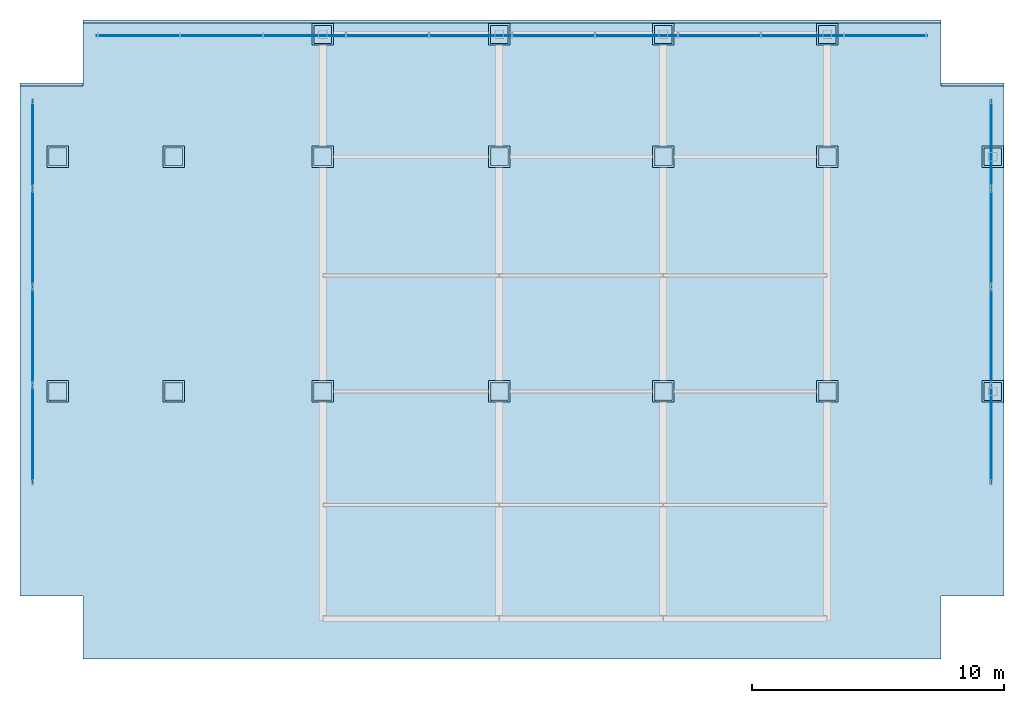
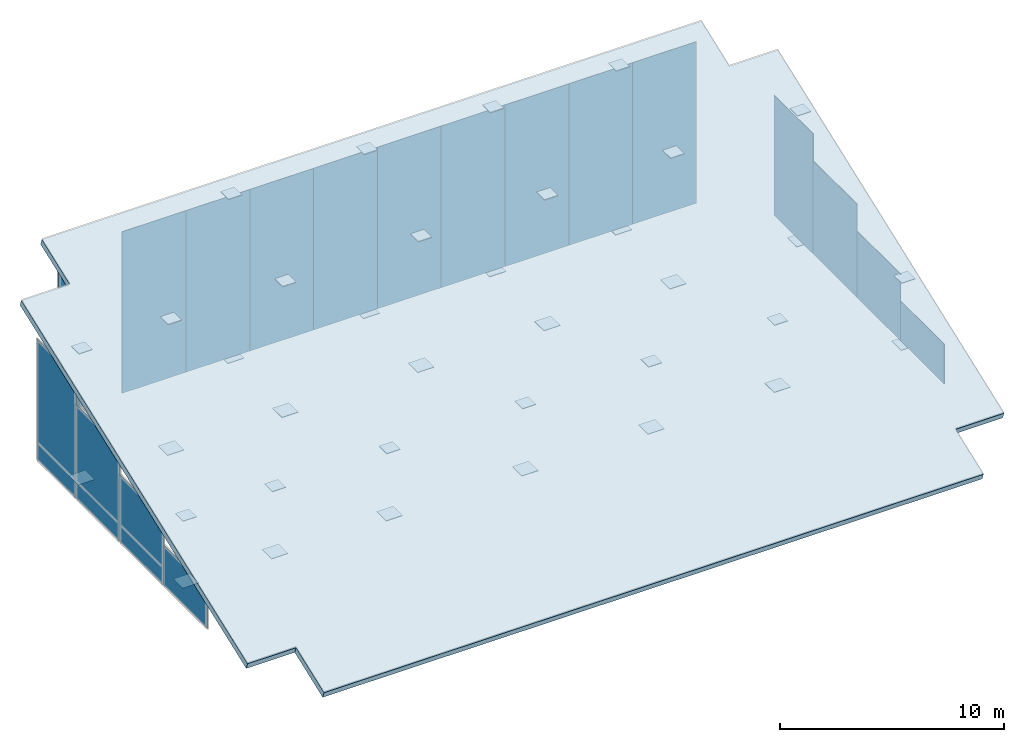
# One storey, part 11 of 12: 54 plates, 1 slab, 9 elements without a shape of their own.
"""IFC4 building model written with IfcOpenShell, lengths in metres."""

from ifc_helpers import new_model, si_unit, direction, frame, origin, origin_2d, place, context, subcontext, project, spatial, polyline, rectangle, outline, extrude, material, layer, layer_set, type_object, element, aggregate, save


model = new_model("IFC4")

# Units and contexts
model_context = context("Model", 3, precision=1e-05, world=origin(), true_north=direction((0.0, 1.0)))
body_context = subcontext(model_context, "Body", "Model", "MODEL_VIEW")
ifc_project = project(units=[si_unit("LENGTHUNIT", "METRE"), si_unit("AREAUNIT", "SQUARE_METRE"), si_unit("VOLUMEUNIT", "CUBIC_METRE"), si_unit("PLANEANGLEUNIT", "RADIAN"), si_unit("MASSUNIT", "GRAM", prefix="KILO")], contexts=[model_context])

# Site, building, storey
site_placement = place(None, origin())
site = spatial("IfcSite", under=ifc_project, at=site_placement, CompositionType="ELEMENT")
building_placement = place(site_placement, origin())
building = spatial("IfcBuilding", under=site, at=building_placement, Name="Noeulbin Bourse Tower", CompositionType="ELEMENT")
storey_placement = place(building_placement, frame((0.0, 0.0, 317.39990234375)))
storey = spatial("IfcBuildingStorey", under=building, at=storey_placement, Name="RF", CompositionType="ELEMENT", Elevation=317.39990234375)

# Curtain wall, plates
ifc_material_1 = material(Name="Translucent Ceramic-Fritted Glass", Category="glass")
curtain_wall_type = type_object("IfcCurtainWallType", Name="CW-SYS-5", PredefinedType="NOTDEFINED", material=ifc_material_1)
curtain_wall_1_placement = place(storey_placement, origin())
curtain_wall_1 = element("IfcCurtainWall", 1, at=curtain_wall_1_placement, inside=storey, type_object=curtain_wall_type, Name="Unitised Curtain Wall CW-RF-CRN-N", PredefinedType="NOTDEFINED")
ifc_layer_1 = layer(ifc_material_1, 0.035888671875)
ifc_layer_set_1 = layer_set([ifc_layer_1], Name="Translucent Ceramic-Fritted Glass")
plate_type_1 = type_object("IfcPlateType", Name="CW-SYS-5-PNL", PredefinedType="CURTAIN_PANEL", material=ifc_layer_set_1)
plate_1_placement = place(storey_placement, frame((16.695068359375, 43.10009765625, 0.0), z_axis=(0.0, 0.0, 1.0), x_axis=(1.0, 0.0, 0.0)))
plate_1 = element("IfcPlate", 2, at=plate_1_placement, type_object=plate_type_1, Name="Glazed Curtain Panel CW-RF-CRN-N-P00", PredefinedType="CURTAIN_PANEL", context=body_context, shape_type="SweptSolid", body=[
    extrude(rectangle(XDim=3.2900390625, YDim=0.035888671875, at=origin_2d()), origin(), (0.0, 0.0, 1.0), 8.811279296875),
])
plate_2_placement = place(storey_placement, frame((19.985107421875, 43.10009765625, 0.0), z_axis=(0.0, 0.0, 1.0), x_axis=(1.0, 0.0, 0.0)))
plate_2 = element("IfcPlate", 3, at=plate_2_placement, type_object=plate_type_1, Name="Glazed Curtain Panel CW-RF-CRN-N-P01", PredefinedType="CURTAIN_PANEL", context=body_context, shape_type="SweptSolid", body=[
    extrude(rectangle(XDim=3.2900390625, YDim=0.035888671875, at=origin_2d()), origin(), (0.0, 0.0, 1.0), 8.811279296875),
])
plate_3_placement = place(storey_placement, frame((23.27490234375, 43.10009765625, 0.0), z_axis=(0.0, 0.0, 1.0), x_axis=(1.0, 0.0, 0.0)))
plate_3 = element("IfcPlate", 4, at=plate_3_placement, type_object=plate_type_1, Name="Glazed Curtain Panel CW-RF-CRN-N-P02", PredefinedType="CURTAIN_PANEL", context=body_context, shape_type="SweptSolid", body=[
    extrude(rectangle(XDim=3.2900390625, YDim=0.035888671875, at=origin_2d()), origin(), (0.0, 0.0, 1.0), 8.811279296875),
])
plate_4_placement = place(storey_placement, frame((26.56494140625, 43.10009765625, 0.0), z_axis=(0.0, 0.0, 1.0), x_axis=(1.0, 0.0, 0.0)))
plate_4 = element("IfcPlate", 5, at=plate_4_placement, type_object=plate_type_1, Name="Glazed Curtain Panel CW-RF-CRN-N-P03", PredefinedType="CURTAIN_PANEL", context=body_context, shape_type="SweptSolid", body=[
    extrude(rectangle(XDim=3.2900390625, YDim=0.035888671875, at=origin_2d()), origin(), (0.0, 0.0, 1.0), 8.811279296875),
])
plate_5_placement = place(storey_placement, frame((29.85498046875, 43.10009765625, 0.0), z_axis=(0.0, 0.0, 1.0), x_axis=(1.0, 0.0, 0.0)))
plate_5 = element("IfcPlate", 6, at=plate_5_placement, type_object=plate_type_1, Name="Glazed Curtain Panel CW-RF-CRN-N-P04", PredefinedType="CURTAIN_PANEL", context=body_context, shape_type="SweptSolid", body=[
    extrude(rectangle(XDim=3.2900390625, YDim=0.035888671875, at=origin_2d()), origin(), (0.0, 0.0, 1.0), 8.811279296875),
])
plate_6_placement = place(storey_placement, frame((33.14501953125, 43.10009765625, 0.0), z_axis=(0.0, 0.0, 1.0), x_axis=(1.0, 0.0, 0.0)))
plate_6 = element("IfcPlate", 7, at=plate_6_placement, type_object=plate_type_1, Name="Glazed Curtain Panel CW-RF-CRN-N-P05", PredefinedType="CURTAIN_PANEL", context=body_context, shape_type="SweptSolid", body=[
    extrude(rectangle(XDim=3.2900390625, YDim=0.035888671875, at=origin_2d()), origin(), (0.0, 0.0, 1.0), 8.811279296875),
])
plate_7_placement = place(storey_placement, frame((36.43505859375, 43.10009765625, 0.0), z_axis=(0.0, 0.0, 1.0), x_axis=(1.0, 0.0, 0.0)))
plate_7 = element("IfcPlate", 8, at=plate_7_placement, type_object=plate_type_1, Name="Glazed Curtain Panel CW-RF-CRN-N-P06", PredefinedType="CURTAIN_PANEL", context=body_context, shape_type="SweptSolid", body=[
    extrude(rectangle(XDim=3.2900390625, YDim=0.035888671875, at=origin_2d()), origin(), (0.0, 0.0, 1.0), 8.811279296875),
])
plate_8_placement = place(storey_placement, frame((39.72509765625, 43.10009765625, 0.0), z_axis=(0.0, 0.0, 1.0), x_axis=(1.0, 0.0, 0.0)))
plate_8 = element("IfcPlate", 9, at=plate_8_placement, type_object=plate_type_1, Name="Glazed Curtain Panel CW-RF-CRN-N-P07", PredefinedType="CURTAIN_PANEL", context=body_context, shape_type="SweptSolid", body=[
    extrude(rectangle(XDim=3.2900390625, YDim=0.035888671875, at=origin_2d()), origin(), (0.0, 0.0, 1.0), 8.811279296875),
])
plate_9_placement = place(storey_placement, frame((43.014892578125, 43.10009765625, 0.0), z_axis=(0.0, 0.0, 1.0), x_axis=(1.0, 0.0, 0.0)))
plate_9 = element("IfcPlate", 10, at=plate_9_placement, type_object=plate_type_1, Name="Glazed Curtain Panel CW-RF-CRN-N-P08", PredefinedType="CURTAIN_PANEL", context=body_context, shape_type="SweptSolid", body=[
    extrude(rectangle(XDim=3.2900390625, YDim=0.035888671875, at=origin_2d()), origin(), (0.0, 0.0, 1.0), 8.811279296875),
])
plate_10_placement = place(storey_placement, frame((46.304931640625, 43.10009765625, 0.0), z_axis=(0.0, 0.0, 1.0), x_axis=(1.0, 0.0, 0.0)))
plate_10 = element("IfcPlate", 11, at=plate_10_placement, type_object=plate_type_1, Name="Glazed Curtain Panel CW-RF-CRN-N-P09", PredefinedType="CURTAIN_PANEL", context=body_context, shape_type="SweptSolid", body=[
    extrude(rectangle(XDim=3.2900390625, YDim=0.035888671875, at=origin_2d()), origin(), (0.0, 0.0, 1.0), 8.811279296875),
])
aggregate(curtain_wall_1, [plate_1, plate_2, plate_3, plate_4, plate_5, plate_6, plate_7, plate_8, plate_9, plate_10])

# Curtain wall, plate
curtain_wall_2_placement = place(storey_placement, origin())
curtain_wall_2 = element("IfcCurtainWall", 12, at=curtain_wall_2_placement, inside=storey, type_object=curtain_wall_type, Name="Unitised Curtain Wall CW-RF-CRN-W2", PredefinedType="NOTDEFINED")
plate_11_placement = place(storey_placement, frame((12.5, 27.300048828125, 0.0), z_axis=(0.0, 0.0, 1.0), x_axis=(0.0, 1.0, 0.0)))
plate_11 = element("IfcPlate", 13, at=plate_11_placement, type_object=plate_type_1, Name="Glazed Curtain Panel CW-RF-CRN-W2-P00", PredefinedType="CURTAIN_PANEL", context=body_context, shape_type="SweptSolid", body=[
    extrude(rectangle(XDim=3.89990234375, YDim=0.035888671875, at=origin_2d()), origin(), (0.0, 0.0, 1.0), 2.1748046875),
])
aggregate(curtain_wall_2, [plate_11])

curtain_wall_3_placement = place(storey_placement, origin())
curtain_wall_3 = element("IfcCurtainWall", 14, at=curtain_wall_3_placement, inside=storey, type_object=curtain_wall_type, Name="Unitised Curtain Wall CW-RF-CRN-E2", PredefinedType="NOTDEFINED")
plate_12_placement = place(storey_placement, frame((50.5, 27.300048828125, 0.0), z_axis=(0.0, 0.0, 1.0), x_axis=(0.0, 1.0, 0.0)))
plate_12 = element("IfcPlate", 15, at=plate_12_placement, type_object=plate_type_1, Name="Glazed Curtain Panel CW-RF-CRN-E2-P00", PredefinedType="CURTAIN_PANEL", context=body_context, shape_type="SweptSolid", body=[
    extrude(rectangle(XDim=3.89990234375, YDim=0.035888671875, at=origin_2d()), origin(), (0.0, 0.0, 1.0), 2.1748046875),
])
aggregate(curtain_wall_3, [plate_12])

curtain_wall_4_placement = place(storey_placement, origin())
curtain_wall_4 = element("IfcCurtainWall", 16, at=curtain_wall_4_placement, inside=storey, type_object=curtain_wall_type, Name="Unitised Curtain Wall CW-RF-CRN-W3", PredefinedType="NOTDEFINED")
plate_13_placement = place(storey_placement, frame((12.5, 31.199951171875, 0.0), z_axis=(0.0, 0.0, 1.0), x_axis=(0.0, 1.0, 0.0)))
plate_13 = element("IfcPlate", 17, at=plate_13_placement, type_object=plate_type_1, Name="Glazed Curtain Panel CW-RF-CRN-W3-P00", PredefinedType="CURTAIN_PANEL", context=body_context, shape_type="SweptSolid", body=[
    extrude(rectangle(XDim=3.89990234375, YDim=0.035888671875, at=origin_2d()), origin(), (0.0, 0.0, 1.0), 3.633056640625),
])
aggregate(curtain_wall_4, [plate_13])

curtain_wall_5_placement = place(storey_placement, origin())
curtain_wall_5 = element("IfcCurtainWall", 18, at=curtain_wall_5_placement, inside=storey, type_object=curtain_wall_type, Name="Unitised Curtain Wall CW-RF-CRN-E3", PredefinedType="NOTDEFINED")
plate_14_placement = place(storey_placement, frame((50.5, 31.199951171875, 0.0), z_axis=(0.0, 0.0, 1.0), x_axis=(0.0, 1.0, 0.0)))
plate_14 = element("IfcPlate", 19, at=plate_14_placement, type_object=plate_type_1, Name="Glazed Curtain Panel CW-RF-CRN-E3-P00", PredefinedType="CURTAIN_PANEL", context=body_context, shape_type="SweptSolid", body=[
    extrude(rectangle(XDim=3.89990234375, YDim=0.035888671875, at=origin_2d()), origin(), (0.0, 0.0, 1.0), 3.633056640625),
])
aggregate(curtain_wall_5, [plate_14])

curtain_wall_6_placement = place(storey_placement, origin())
curtain_wall_6 = element("IfcCurtainWall", 20, at=curtain_wall_6_placement, inside=storey, type_object=curtain_wall_type, Name="Unitised Curtain Wall CW-RF-CRN-W4", PredefinedType="NOTDEFINED")
plate_15_placement = place(storey_placement, frame((12.5, 35.10009765625, 0.0), z_axis=(0.0, 0.0, 1.0), x_axis=(0.0, 1.0, 0.0)))
plate_15 = element("IfcPlate", 21, at=plate_15_placement, type_object=plate_type_1, Name="Glazed Curtain Panel CW-RF-CRN-W4-P00", PredefinedType="CURTAIN_PANEL", context=body_context, shape_type="SweptSolid", body=[
    extrude(rectangle(XDim=3.89990234375, YDim=0.035888671875, at=origin_2d()), origin(), (0.0, 0.0, 1.0), 5.091064453125),
])
aggregate(curtain_wall_6, [plate_15])

curtain_wall_7_placement = place(storey_placement, origin())
curtain_wall_7 = element("IfcCurtainWall", 22, at=curtain_wall_7_placement, inside=storey, type_object=curtain_wall_type, Name="Unitised Curtain Wall CW-RF-CRN-E4", PredefinedType="NOTDEFINED")
plate_16_placement = place(storey_placement, frame((50.5, 35.10009765625, 0.0), z_axis=(0.0, 0.0, 1.0), x_axis=(0.0, 1.0, 0.0)))
plate_16 = element("IfcPlate", 23, at=plate_16_placement, type_object=plate_type_1, Name="Glazed Curtain Panel CW-RF-CRN-E4-P00", PredefinedType="CURTAIN_PANEL", context=body_context, shape_type="SweptSolid", body=[
    extrude(rectangle(XDim=3.89990234375, YDim=0.035888671875, at=origin_2d()), origin(), (0.0, 0.0, 1.0), 5.091064453125),
])
aggregate(curtain_wall_7, [plate_16])

curtain_wall_8_placement = place(storey_placement, origin())
curtain_wall_8 = element("IfcCurtainWall", 24, at=curtain_wall_8_placement, inside=storey, type_object=curtain_wall_type, Name="Unitised Curtain Wall CW-RF-CRN-W5", PredefinedType="NOTDEFINED")
plate_17_placement = place(storey_placement, frame((12.5, 38.800048828125, 0.0), z_axis=(0.0, 0.0, 1.0), x_axis=(0.0, 1.0, 0.0)))
plate_17 = element("IfcPlate", 25, at=plate_17_placement, type_object=plate_type_1, Name="Glazed Curtain Panel CW-RF-CRN-W5-P00", PredefinedType="CURTAIN_PANEL", context=body_context, shape_type="SweptSolid", body=[
    extrude(rectangle(XDim=3.5, YDim=0.035888671875, at=origin_2d()), origin(), (0.0, 0.0, 1.0), 6.54931640625),
])
aggregate(curtain_wall_8, [plate_17])

curtain_wall_9_placement = place(storey_placement, origin())
curtain_wall_9 = element("IfcCurtainWall", 26, at=curtain_wall_9_placement, inside=storey, type_object=curtain_wall_type, Name="Unitised Curtain Wall CW-RF-CRN-E5", PredefinedType="NOTDEFINED")
plate_18_placement = place(storey_placement, frame((50.5, 38.800048828125, 0.0), z_axis=(0.0, 0.0, 1.0), x_axis=(0.0, 1.0, 0.0)))
plate_18 = element("IfcPlate", 27, at=plate_18_placement, type_object=plate_type_1, Name="Glazed Curtain Panel CW-RF-CRN-E5-P00", PredefinedType="CURTAIN_PANEL", context=body_context, shape_type="SweptSolid", body=[
    extrude(rectangle(XDim=3.5, YDim=0.035888671875, at=origin_2d()), origin(), (0.0, 0.0, 1.0), 6.54931640625),
])
aggregate(curtain_wall_9, [plate_18])

# Plates
ifc_material_2 = material(Name="Steel S355", Category="steel")
ifc_layer_2 = layer(ifc_material_2, 0.030029296875)
ifc_layer_set_2 = layer_set([ifc_layer_2], Name="Steel S355")
plate_type_2 = type_object("IfcPlateType", Name="PLT-BN1", PredefinedType="USERDEFINED", material=ifc_layer_set_2)
for number, where, z_axis, x_axis, name in (
    (28, (13.5, 29.0, -0.01513671875), (0.0, 0.0, 1.0), (1.0, 0.0, 0.0), "Crown Column Base Splice Plate BN1-01"),
    (29, (13.5, 38.300048828125, -0.01513671875), (0.0, 0.0, 1.0), (1.0, 0.0, 0.0), "Crown Column Base Splice Plate BN1-02"),
    (30, (18.10009765625, 29.0, -0.01513671875), (0.0, 0.0, 1.0), (1.0, 0.0, 0.0), "Crown Column Base Splice Plate BN1-03"),
    (31, (18.10009765625, 38.300048828125, -0.01513671875), (0.0, 0.0, 1.0), (1.0, 0.0, 0.0), "Crown Column Base Splice Plate BN1-04"),
    (32, (24.0, 29.0, -0.01513671875), (0.0, 0.0, 1.0), (1.0, 0.0, 0.0), "Crown Column Base Splice Plate BN1-05"),
    (33, (24.0, 38.300048828125, -0.01513671875), (0.0, 0.0, 1.0), (1.0, 0.0, 0.0), "Crown Column Base Splice Plate BN1-06"),
    (34, (31.0, 29.0, -0.01513671875), (0.0, 0.0, 1.0), (1.0, 0.0, 0.0), "Crown Column Base Splice Plate BN1-07"),
    (35, (31.0, 38.300048828125, -0.01513671875), (0.0, 0.0, 1.0), (1.0, 0.0, 0.0), "Crown Column Base Splice Plate BN1-08"),
    (36, (37.5, 29.0, -0.01513671875), (0.0, 0.0, 1.0), (1.0, 0.0, 0.0), "Crown Column Base Splice Plate BN1-09"),
    (37, (37.5, 38.300048828125, -0.01513671875), (0.0, 0.0, 1.0), (1.0, 0.0, 0.0), "Crown Column Base Splice Plate BN1-10"),
    (38, (44.0, 29.0, -0.01513671875), (0.0, 0.0, 1.0), (1.0, 0.0, 0.0), "Crown Column Base Splice Plate BN1-11"),
    (39, (44.0, 38.300048828125, -0.01513671875), (0.0, 0.0, 1.0), (1.0, 0.0, 0.0), "Crown Column Base Splice Plate BN1-12"),
    (40, (24.0, 43.14990234375, -0.01513671875), (0.0, 0.0, 1.0), (1.0, 0.0, 0.0), "Crown Column Base Splice Plate BN1-13"),
    (41, (31.0, 43.14990234375, -0.01513671875), (0.0, 0.0, 1.0), (1.0, 0.0, 0.0), "Crown Column Base Splice Plate BN1-14"),
    (42, (37.5, 43.14990234375, -0.01513671875), (0.0, 0.0, 1.0), (1.0, 0.0, 0.0), "Crown Column Base Splice Plate BN1-15"),
    (43, (44.0, 43.14990234375, -0.01513671875), (0.0, 0.0, 1.0), (1.0, 0.0, 0.0), "Crown Column Base Splice Plate BN1-16"),
    (44, (50.550048828125, 29.0, -0.01513671875), (0.0, 0.0, 1.0), (1.0, 0.0, 0.0), "Crown Column Base Splice Plate BN1-17"),
    (45, (50.550048828125, 38.300048828125, -0.01513671875), (0.0, 0.0, 1.0), (1.0, 0.0, 0.0), "Crown Column Base Splice Plate BN1-18"),
):
    element("IfcPlate", number, at=place(storey_placement, frame(where, z_axis=z_axis, x_axis=x_axis)), inside=storey, type_object=plate_type_2, Name=name, ObjectType="SPLICE PLATE", PredefinedType="USERDEFINED", context=body_context, shape_type="SweptSolid", body=[
        extrude(rectangle(XDim=0.85009765625, YDim=0.85009765625, at=origin_2d()), origin(), (0.0, 0.0, 1.0), 0.030029296875),
    ])
ifc_layer_3 = layer(ifc_material_2, 0.034912109375)
ifc_layer_set_3 = layer_set([ifc_layer_3], Name="Steel S355")
plate_type_3 = type_object("IfcPlateType", Name="PLT-CN1", PredefinedType="USERDEFINED", material=ifc_layer_set_3)
for number, where, z_axis, x_axis, name in (
    (46, (13.5, 29.0, 3.572265625), (0.0, 0.0, 1.0), (1.0, 0.0, 0.0), "Crown Column Cap Plate CN1-01"),
    (47, (13.5, 38.300048828125, 7.04931640625), (0.0, 0.0, 1.0), (1.0, 0.0, 0.0), "Crown Column Cap Plate CN1-02"),
    (48, (18.10009765625, 29.0, 3.572265625), (0.0, 0.0, 1.0), (1.0, 0.0, 0.0), "Crown Column Cap Plate CN1-03"),
    (49, (18.10009765625, 38.300048828125, 7.04931640625), (0.0, 0.0, 1.0), (1.0, 0.0, 0.0), "Crown Column Cap Plate CN1-04"),
    (50, (24.0, 29.0, 3.572265625), (0.0, 0.0, 1.0), (1.0, 0.0, 0.0), "Crown Column Cap Plate CN1-05"),
    (51, (24.0, 38.300048828125, 7.04931640625), (0.0, 0.0, 1.0), (1.0, 0.0, 0.0), "Crown Column Cap Plate CN1-06"),
    (52, (31.0, 29.0, 3.572265625), (0.0, 0.0, 1.0), (1.0, 0.0, 0.0), "Crown Column Cap Plate CN1-07"),
    (53, (31.0, 38.300048828125, 7.04931640625), (0.0, 0.0, 1.0), (1.0, 0.0, 0.0), "Crown Column Cap Plate CN1-08"),
    (54, (37.5, 29.0, 3.572265625), (0.0, 0.0, 1.0), (1.0, 0.0, 0.0), "Crown Column Cap Plate CN1-09"),
    (55, (37.5, 38.300048828125, 7.04931640625), (0.0, 0.0, 1.0), (1.0, 0.0, 0.0), "Crown Column Cap Plate CN1-10"),
    (56, (44.0, 29.0, 3.572265625), (0.0, 0.0, 1.0), (1.0, 0.0, 0.0), "Crown Column Cap Plate CN1-11"),
    (57, (44.0, 38.300048828125, 7.04931640625), (0.0, 0.0, 1.0), (1.0, 0.0, 0.0), "Crown Column Cap Plate CN1-12"),
    (58, (24.0, 43.14990234375, 8.86279296875), (0.0, 0.0, 1.0), (1.0, 0.0, 0.0), "Crown Column Cap Plate CN1-13"),
    (59, (31.0, 43.14990234375, 8.86279296875), (0.0, 0.0, 1.0), (1.0, 0.0, 0.0), "Crown Column Cap Plate CN1-14"),
    (60, (37.5, 43.14990234375, 8.86279296875), (0.0, 0.0, 1.0), (1.0, 0.0, 0.0), "Crown Column Cap Plate CN1-15"),
    (61, (44.0, 43.14990234375, 8.86279296875), (0.0, 0.0, 1.0), (1.0, 0.0, 0.0), "Crown Column Cap Plate CN1-16"),
    (62, (50.550048828125, 29.0, 3.572265625), (0.0, 0.0, 1.0), (1.0, 0.0, 0.0), "Crown Column Cap Plate CN1-17"),
    (63, (50.550048828125, 38.300048828125, 7.04931640625), (0.0, 0.0, 1.0), (1.0, 0.0, 0.0), "Crown Column Cap Plate CN1-18"),
):
    element("IfcPlate", number, at=place(storey_placement, frame(where, z_axis=z_axis, x_axis=x_axis)), inside=storey, type_object=plate_type_3, Name=name, ObjectType="BASE PLATE", PredefinedType="USERDEFINED", context=body_context, shape_type="SweptSolid", body=[
        extrude(rectangle(XDim=0.699951171875, YDim=0.699951171875, at=origin_2d()), origin(), (0.0, 0.0, 1.0), 0.034912109375),
    ])

# Slab
ifc_material_3 = material(Name="Concrete C40/50", Category="concrete")
ifc_layer_4 = layer(ifc_material_3, 0.35009765625)
ifc_layer_set_4 = layer_set([ifc_layer_4], Name="Concrete C40/50")
slab_type = type_object("IfcSlabType", Name="SLB-CRN-350", PredefinedType="ROOF", material=ifc_layer_set_4)
slab_placement = place(storey_placement, frame((14.5, 18.39990234375, 0.0), z_axis=(0.0, -0.35020447026, 0.936673277621), x_axis=(1.0, 0.0, 0.0)))
element("IfcSlab", 64, at=slab_placement, inside=storey, type_object=slab_type, Name="Sloped Crown Roof Slab RF1", PredefinedType="ROOF", context=body_context, shape_type="SweptSolid", body=[
    extrude(outline(polyline([(0.0, 0.0), (34.0, 0.0), (34.0, 2.669059394401394), (36.5, 2.669059394401394), (36.5, 24.234958388025213), (34.0, 24.234958388025213), (34.0, 26.90393228328836), (0.0, 26.90393228328836), (0.0, 24.234958388025213), (-2.5, 24.234958388025213), (-2.5, 2.669059394401394), (0.0, 2.669059394401394), (0.0, 0.0)])), origin(), (0.0, 0.0, -1.0), 0.35009765625),
])

save(model, "model.ifc")
